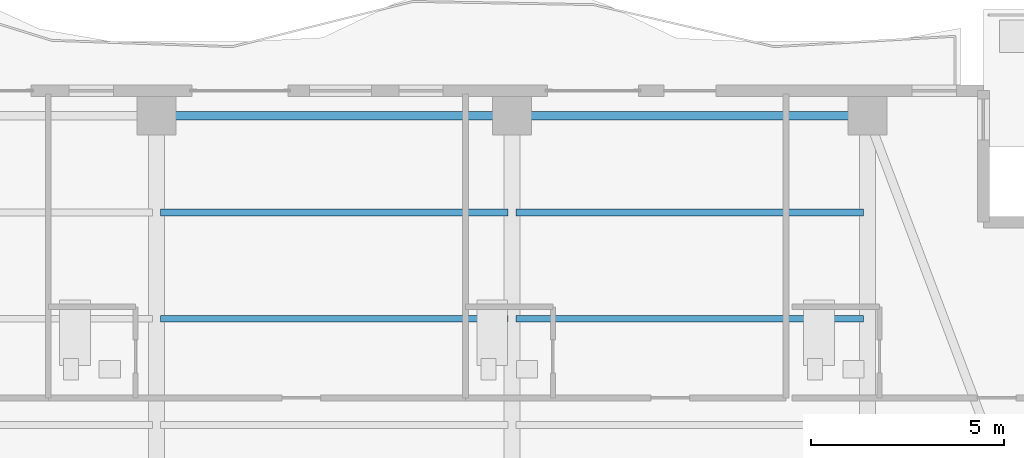
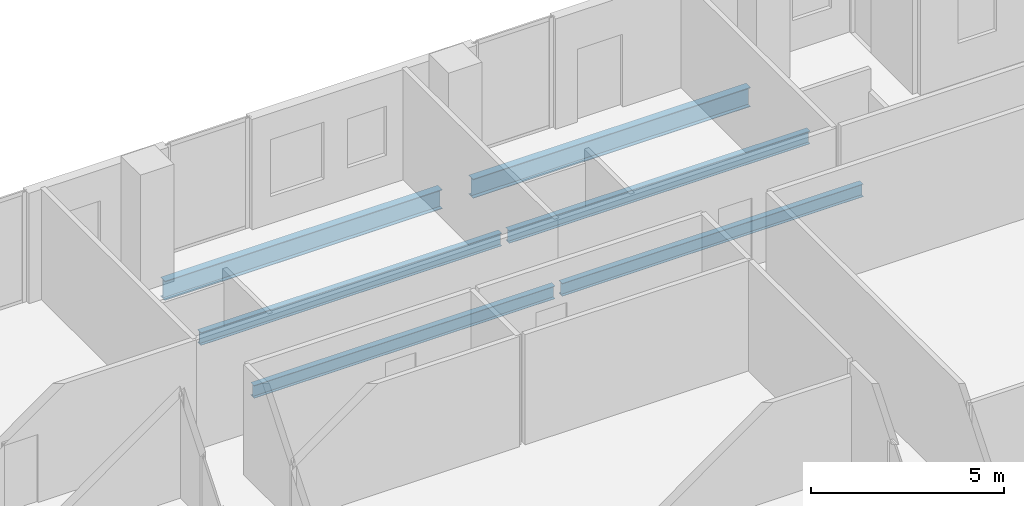
# One storey, part 13 of 24: 6 beams.
"""IFC4 building model written with IfcOpenShell, lengths in metres."""

from ifc_helpers import new_model, si_unit, direction, frame, origin, origin_2d, place, context, subcontext, project, spatial, i_section, extrude, material, material_profile, profile_set, type_object, element, save


model = new_model("IFC4")

# Units and contexts
model_context = context("Model", 3, precision=1e-05, world=origin(), true_north=direction((0.0, 1.0)))
body_context = subcontext(model_context, "Body", "Model", "MODEL_VIEW")
ifc_project = project(units=[si_unit("LENGTHUNIT", "METRE"), si_unit("AREAUNIT", "SQUARE_METRE"), si_unit("VOLUMEUNIT", "CUBIC_METRE"), si_unit("PLANEANGLEUNIT", "RADIAN"), si_unit("MASSUNIT", "GRAM", prefix="KILO")], contexts=[model_context])

# Site, building, storey
site_placement = place(None, origin())
site = spatial("IfcSite", under=ifc_project, at=site_placement, CompositionType="ELEMENT")
building_placement = place(site_placement, origin())
building = spatial("IfcBuilding", under=site, at=building_placement, Name="Zuhayl Quay Hotel", CompositionType="ELEMENT")
storey_placement = place(building_placement, frame((0.0, 0.0, 269.25)))
storey = spatial("IfcBuildingStorey", under=building, at=storey_placement, Name="L68", CompositionType="ELEMENT", Elevation=269.25)

# Beams
ifc_material = material(Name="Steel ASTM A992 Grade 50", Category="steel")
ifc_material_profile_1 = material_profile(ifc_material, i_section(OverallWidth=0.22802734375, OverallDepth=0.60693359375, WebThickness=0.01123046875, FlangeThickness=0.017333984375, at=origin_2d()), Name="W24X76")
ifc_profile_set_1 = profile_set([ifc_material_profile_1], Name="Steel ASTM A992 Grade 50")
beam_type_1 = type_object("IfcBeamType", Name="BM_B3_W24X76", PredefinedType="BEAM", material=ifc_profile_set_1)
beam_1_placement = place(storey_placement, frame((13.340087890625, 38.35009765625, -0.5234375), z_axis=(-1.0, 0.0, 0.0), x_axis=(0.0, -1.0, 0.0)))
element("IfcBeam", 1, at=beam_1_placement, inside=storey, type_object=beam_type_1, Name="L68 Floor Beam RG_L68_07", PredefinedType="BEAM", context=body_context, shape_type="SweptSolid", body=[
    extrude(i_section(OverallWidth=0.22802734375, OverallDepth=0.60693359375, WebThickness=0.01123046875, FlangeThickness=0.017333984375, at=origin_2d()), origin(), (0.0, 0.0, 1.0), 8.280029296875),
])
beam_2_placement = place(storey_placement, frame((4.139892578125, 38.35009765625, -0.5234375), z_axis=(-1.0, 0.0, 0.0), x_axis=(0.0, -1.0, 0.0)))
element("IfcBeam", 2, at=beam_2_placement, inside=storey, type_object=beam_type_1, Name="L68 Floor Beam RG_L68_08", PredefinedType="BEAM", context=body_context, shape_type="SweptSolid", body=[
    extrude(i_section(OverallWidth=0.22802734375, OverallDepth=0.60693359375, WebThickness=0.01123046875, FlangeThickness=0.017333984375, at=origin_2d()), origin(), (0.0, 0.0, 1.0), 8.27978515625),
])
ifc_material_profile_2 = material_profile(ifc_material, i_section(OverallWidth=0.177978515625, OverallDepth=0.404052734375, WebThickness=0.007568359375, FlangeThickness=0.010986328125, at=origin_2d()), Name="W16X36")
ifc_profile_set_2 = profile_set([ifc_material_profile_2], Name="Steel ASTM A992 Grade 50")
beam_type_2 = type_object("IfcBeamType", Name="BM_J3_W16X36", PredefinedType="JOIST", material=ifc_profile_set_2)
beam_3_placement = place(storey_placement, frame((-4.493896484375, 33.10009765625, -0.422119140625), z_axis=(1.0, 0.0, 0.0), x_axis=(0.0, 1.0, 0.0)))
element("IfcBeam", 3, at=beam_3_placement, inside=storey, type_object=beam_type_2, Name="L68 Floor Beam FJ_L68_7_2", PredefinedType="JOIST", context=body_context, shape_type="SweptSolid", body=[
    extrude(i_section(OverallWidth=0.177978515625, OverallDepth=0.404052734375, WebThickness=0.007568359375, FlangeThickness=0.010986328125, at=origin_2d()), origin(), (0.0, 0.0, 1.0), 8.98779296875),
])
beam_4_placement = place(storey_placement, frame((4.7060546875, 33.10009765625, -0.422119140625), z_axis=(1.0, 0.0, 0.0), x_axis=(0.0, 1.0, 0.0)))
element("IfcBeam", 4, at=beam_4_placement, inside=storey, type_object=beam_type_2, Name="L68 Floor Beam FJ_L68_7_3", PredefinedType="JOIST", context=body_context, shape_type="SweptSolid", body=[
    extrude(i_section(OverallWidth=0.177978515625, OverallDepth=0.404052734375, WebThickness=0.007568359375, FlangeThickness=0.010986328125, at=origin_2d()), origin(), (0.0, 0.0, 1.0), 8.988037109375),
])
beam_5_placement = place(storey_placement, frame((-4.493896484375, 35.85009765625, -0.422119140625), z_axis=(1.0, 0.0, 0.0), x_axis=(0.0, 1.0, 0.0)))
element("IfcBeam", 5, at=beam_5_placement, inside=storey, type_object=beam_type_2, Name="L68 Floor Beam FJ_L68_8_2", PredefinedType="JOIST", context=body_context, shape_type="SweptSolid", body=[
    extrude(i_section(OverallWidth=0.177978515625, OverallDepth=0.404052734375, WebThickness=0.007568359375, FlangeThickness=0.010986328125, at=origin_2d()), origin(), (0.0, 0.0, 1.0), 8.98779296875),
])
beam_6_placement = place(storey_placement, frame((4.7060546875, 35.85009765625, -0.422119140625), z_axis=(1.0, 0.0, 0.0), x_axis=(0.0, 1.0, 0.0)))
element("IfcBeam", 6, at=beam_6_placement, inside=storey, type_object=beam_type_2, Name="L68 Floor Beam FJ_L68_8_3", PredefinedType="JOIST", context=body_context, shape_type="SweptSolid", body=[
    extrude(i_section(OverallWidth=0.177978515625, OverallDepth=0.404052734375, WebThickness=0.007568359375, FlangeThickness=0.010986328125, at=origin_2d()), origin(), (0.0, 0.0, 1.0), 8.988037109375),
])

save(model, "model.ifc")
